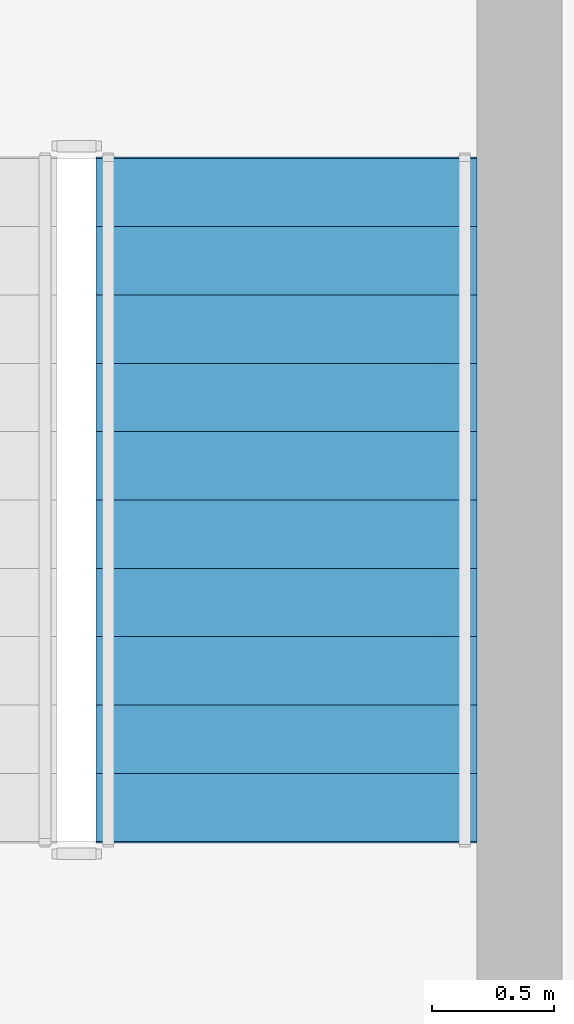
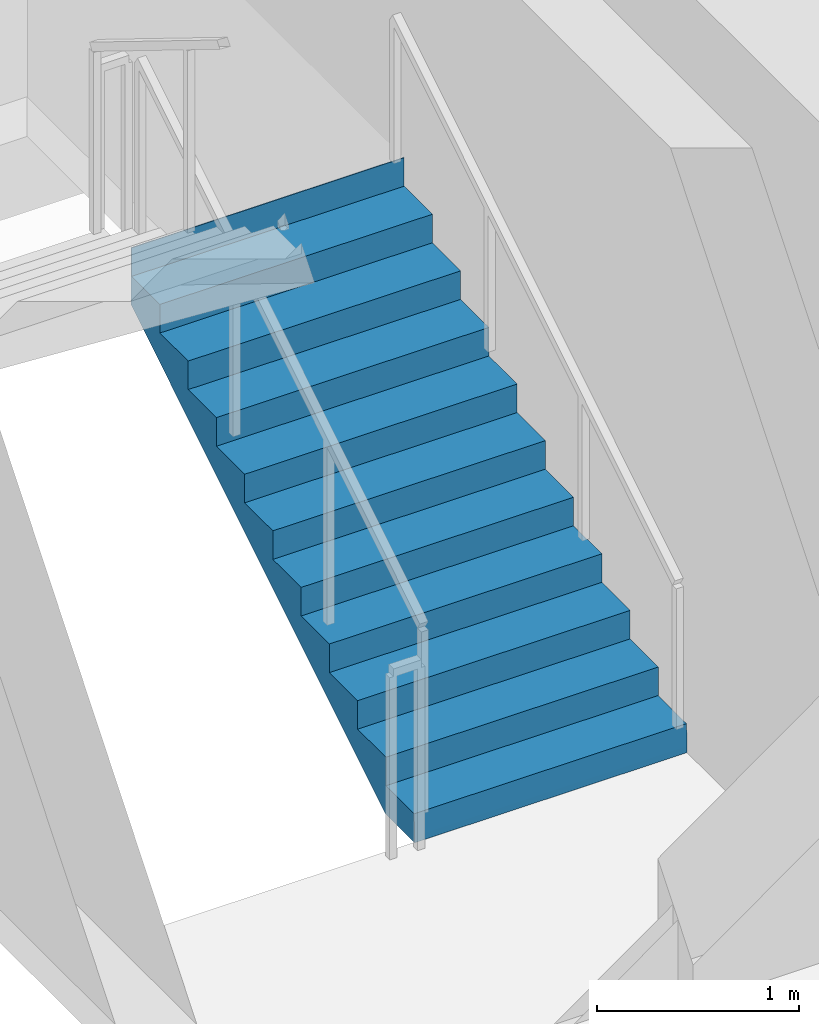
# One storey, part 9 of 14: 1 stair flight, 1 element without a shape of its own.
"""IFC4 building model written with IfcOpenShell, lengths in metres."""

import ifcopenshell
import ifcopenshell.guid

model = None  # the IFC model being written
_history = None  # IfcOwnerHistory: only IFC2X3 demands one
_inside = {}  # id of a spatial element -> (the spatial element, [elements in it])
_under = {}  # id of a project, library or spatial element -> (it, [spatial elements below it])
_declared = {}  # id of a project -> (the project, [libraries it declares])
_typed = {}  # id of a type object -> (the type object, [elements of that type])
_made_of = {}  # id of a material, layer set ... -> (it, [elements and type objects made of it])


def new_model(schema):
    """Start an empty IFC model of exactly this schema.

    Asked for "IFC4X3", IfcOpenShell would pick the latest addendum, in which some entities
    have other attributes; the version numbers below select the first issue.
    IFC2X3 requires an IfcOwnerHistory on every rooted entity: one is made here for all.
    """
    global model, _history
    if schema == "IFC4X3":
        model = ifcopenshell.file(schema_version=(4, 3, 0, 0))
    else:
        model = ifcopenshell.file(schema=schema)
    _inside.clear()
    _under.clear()
    _declared.clear()
    _typed.clear()
    _made_of.clear()
    _history = None
    if model.schema == "IFC2X3":
        org = make("IfcOrganization", Name="unknown")
        user = make(
            "IfcPersonAndOrganization",
            ThePerson=make("IfcPerson", FamilyName="unknown"),
            TheOrganization=org,
        )
        app = make(
            "IfcApplication",
            ApplicationDeveloper=org,
            Version="unknown",
            ApplicationFullName="unknown",
            ApplicationIdentifier="unknown",
        )
        _history = make(
            "IfcOwnerHistory",
            OwningUser=user,
            OwningApplication=app,
            ChangeAction="ADDED",
            CreationDate=0,
        )
    return model


def make(cls, **values):
    """One entity of the class cls with the attributes given. An attribute that is None is left unset."""
    return model.create_entity(
        cls, **{name: value for name, value in values.items() if value is not None}
    )


def rooted(cls, **values):
    """An entity with a GlobalId (a new one), such as an element, a storey or a relation."""
    return make(cls, GlobalId=ifcopenshell.guid.new(), OwnerHistory=_history, **values)


def si_unit(unit_type, name, prefix=None):
    """IfcSIUnit, for example si_unit("LENGTHUNIT", "METRE", prefix="MILLI")."""
    return make("IfcSIUnit", UnitType=unit_type, Prefix=prefix, Name=name)


def assignment(units):
    """IfcUnitAssignment: the units of a project."""
    return None if units is None else make("IfcUnitAssignment", Units=units)


def point(xyz):
    """IfcCartesianPoint."""
    return None if xyz is None else make("IfcCartesianPoint", Coordinates=xyz)


def direction(xyz):
    """IfcDirection."""
    return None if xyz is None else make("IfcDirection", DirectionRatios=xyz)


def frame(location, z_axis=None, x_axis=None):
    """IfcAxis2Placement3D, a coordinate frame: its origin and axes. An axis left out is left unset."""
    return make(
        "IfcAxis2Placement3D",
        Location=point(location),
        Axis=direction(z_axis),
        RefDirection=direction(x_axis),
    )


def origin():
    """The frame at (0, 0, 0) with its axes left unset."""
    return frame((0.0, 0.0, 0.0))


def place(relative_to, where):
    """IfcLocalPlacement: puts the frame where relative to a parent placement (None: the world)."""
    return make(
        "IfcLocalPlacement", PlacementRelTo=relative_to, RelativePlacement=where
    )


def context(
    kind, dimensions, precision=None, world=None, true_north=None, identifier=None
):
    """IfcGeometricRepresentationContext, for example the 3D "Model" context."""
    return make(
        "IfcGeometricRepresentationContext",
        ContextIdentifier=identifier,
        ContextType=kind,
        CoordinateSpaceDimension=dimensions,
        Precision=precision,
        WorldCoordinateSystem=world,
        TrueNorth=true_north,
    )


def subcontext(parent, identifier, kind, view, scale=None):
    """IfcGeometricRepresentationSubContext, for example "Body" below "Model"."""
    return make(
        "IfcGeometricRepresentationSubContext",
        ContextIdentifier=identifier,
        ContextType=kind,
        ParentContext=parent,
        TargetScale=scale,
        TargetView=view,
    )


def project(units=None, contexts=None):
    """IfcProject with its units and contexts."""
    return rooted(
        "IfcProject",
        Name="project",
        RepresentationContexts=contexts,
        UnitsInContext=assignment(units),
    )


def spatial(cls, under=None, at=None, **own):
    """A site, building, storey or space (cls), placed at a placement, below another one or the project."""
    s = rooted(cls, ObjectPlacement=at, **own)
    if under is not None:
        _under.setdefault(under.id(), (under, []))[1].append(s)
    return s


def polyline(points):
    """IfcPolyline through the points."""
    return make("IfcPolyline", Points=[point(p) for p in points])


def outline(outer, holes=None, kind="AREA"):
    """IfcArbitraryClosedProfileDef: a profile drawn as a closed curve; with holes, ...WithVoids."""
    if holes is None:
        return make("IfcArbitraryClosedProfileDef", ProfileType=kind, OuterCurve=outer)
    return make(
        "IfcArbitraryProfileDefWithVoids",
        ProfileType=kind,
        OuterCurve=outer,
        InnerCurves=holes,
    )


def extrude(swept, where, along, depth):
    """IfcExtrudedAreaSolid: the profile swept, set in the frame where, extruded along a direction by depth."""
    return make(
        "IfcExtrudedAreaSolid",
        SweptArea=swept,
        Position=where,
        ExtrudedDirection=direction(along),
        Depth=depth,
    )


def shape(context_of_items, identifier, shape_type, items):
    """IfcShapeRepresentation: the items that make up one representation, for example the "Body"."""
    return make(
        "IfcShapeRepresentation",
        ContextOfItems=context_of_items,
        RepresentationIdentifier=identifier,
        RepresentationType=shape_type,
        Items=items,
    )


def material(Name=None, Category=None):
    """IfcMaterial."""
    return make("IfcMaterial", Name=Name, Category=Category)


def made_of(thing, what):
    """Note that an element or type object is made of a material, layer set ...; save() writes the relation."""
    if what is not None:
        _made_of.setdefault(what.id(), (what, []))[1].append(thing)
    return thing


def type_object(cls, material=None, **own):
    """A type object (cls), such as IfcWallType, which elements share."""
    return made_of(rooted(cls, **own), material)


def element(
    cls,
    number,
    at=None,
    inside=None,
    cuts=None,
    type_object=None,
    material=None,
    context=None,
    identifier="Body",
    shape_type=None,
    held_by="IfcProductDefinitionShape",
    body=None,
    shapes=None,
    **own,
):
    """One element of the class cls, such as IfcWall. Its Tag is "e" and its number.

    at: its placement. inside: the storey or other place that contains it. cuts: it is an
    opening in that element (IfcRelVoidsElement). A single representation is given by context,
    identifier, shape_type and body (its items); several are given by shapes. held_by: the class
    of the entity that holds the representations. save() writes the other relations.
    """
    e = rooted(cls, Tag="e%d" % number, ObjectPlacement=at, **own)
    if body is not None:
        shapes = [shape(context, identifier, shape_type, body)]
    if shapes is not None:
        e.Representation = make(held_by, Representations=shapes)
    if inside is not None:
        _inside.setdefault(inside.id(), (inside, []))[1].append(e)
    if cuts is not None:
        rooted(
            "IfcRelVoidsElement", RelatingBuildingElement=cuts, RelatedOpeningElement=e
        )
    if type_object is not None:
        _typed.setdefault(type_object.id(), (type_object, []))[1].append(e)
    return made_of(e, material)


def aggregate(whole, parts):
    """IfcRelAggregates: a whole, such as a stair, and the parts it consists of."""
    return rooted("IfcRelAggregates", RelatingObject=whole, RelatedObjects=parts)


def save(model, path):
    """Write the relations noted so far, then the file.

    IfcRelAggregates (storeys below a building ...), IfcRelContainedInSpatialStructure (elements
    in a storey), IfcRelDefinesByType, IfcRelAssociatesMaterial and IfcRelDeclares: one each for
    every whole, place, type object, material and project.
    """
    for whole, parts in _under.values():
        aggregate(whole, parts)
    for where, things in _inside.values():
        rooted(
            "IfcRelContainedInSpatialStructure",
            RelatedElements=things,
            RelatingStructure=where,
        )
    for kind, things in _typed.values():
        rooted("IfcRelDefinesByType", RelatedObjects=things, RelatingType=kind)
    for what, things in _made_of.values():
        rooted("IfcRelAssociatesMaterial", RelatedObjects=things, RelatingMaterial=what)
    for by, libraries in _declared.values():
        rooted("IfcRelDeclares", RelatingContext=by, RelatedDefinitions=libraries)
    model.write(path)


model = new_model("IFC4")

# Units and contexts
model_context = context("Model", 3, precision=1e-05, world=origin(), true_north=direction((0.0, 1.0)))
body_context = subcontext(model_context, "Body", "Model", "MODEL_VIEW")
ifc_project = project(units=[si_unit("LENGTHUNIT", "METRE"), si_unit("AREAUNIT", "SQUARE_METRE"), si_unit("VOLUMEUNIT", "CUBIC_METRE"), si_unit("PLANEANGLEUNIT", "RADIAN"), si_unit("MASSUNIT", "GRAM", prefix="KILO")], contexts=[model_context])

# Site, building, storey
site_placement = place(None, origin())
site = spatial("IfcSite", under=ifc_project, at=site_placement, CompositionType="ELEMENT")
building_placement = place(site_placement, origin())
building = spatial("IfcBuilding", under=site, at=building_placement, Name="Kaelvorn Grand Hotel", CompositionType="ELEMENT")
storey_placement = place(building_placement, frame((0.0, 0.0, 209.14990234375)))
storey = spatial("IfcBuildingStorey", under=building, at=storey_placement, Name="L51", CompositionType="ELEMENT", Elevation=209.14990234375)

# Stair, stair flight
ifc_material = material(Name="Concrete C40/50", Category="concrete")
stair_type = type_object("IfcStairType", Name="STR-DOG-1560-R08", PredefinedType="HALF_TURN_STAIR", material=ifc_material)
stair_placement = place(storey_placement, origin())
stair = element("IfcStair", 1, at=stair_placement, inside=storey, type_object=stair_type, Name="L51 East Core Exit Stair ST3", PredefinedType="HALF_TURN_STAIR")
stair_flight_type = type_object("IfcStairFlightType", Name="FLG-DOG-1560-R08", PredefinedType="STRAIGHT", material=ifc_material)
stair_flight_placement = place(storey_placement, frame((65.820068359375, 41.760009765625, 0.0), z_axis=(0.0, 0.0, 1.0), x_axis=(0.0, 1.0, 0.0)))
stair_flight = element("IfcStairFlight", 2, at=stair_flight_placement, type_object=stair_flight_type, Name="ST3 flight 1", NumberOfRisers=11, NumberOfTreads=10, PredefinedType="STRAIGHT", RiserHeight=0.172727273, TreadLength=0.28, context=body_context, shape_type="SweptSolid", body=[
    extrude(outline(polyline([(-0.0048828125, 0.0), (-0.0048828125, 0.0400390625), (0.0, 0.172607421875), (0.280029296875, 0.172607421875), (0.280029296875, 0.345458984375), (0.56005859375, 0.345458984375), (0.56005859375, 0.51806640625), (0.840087890625, 0.51806640625), (0.840087890625, 0.69091796875), (1.1201171875, 0.69091796875), (1.1201171875, 0.863525390625), (1.39990234375, 0.863525390625), (1.39990234375, 1.036376953125), (1.679931640625, 1.036376953125), (1.679931640625, 1.208984375), (1.9599609375, 1.208984375), (1.9599609375, 1.3818359375), (2.239990234375, 1.3818359375), (2.239990234375, 1.554443359375), (2.52001953125, 1.554443359375), (2.52001953125, 1.727294921875), (2.800048828125, 1.727294921875), (2.800048828125, 1.89990234375), (2.804931640625, 1.89990234375), (2.804931640625, 1.551025390625), (0.285400390625, 0.0), (-0.0048828125, 0.0)])), frame((0.0, 0.780029296875, 0.0), z_axis=(0.0, -1.0, 0.0), x_axis=(1.0, 0.0, 0.0)), (0.0, 0.0, 1.0), 1.56005859375),
])
aggregate(stair, [stair_flight])

save(model, "model.ifc")
